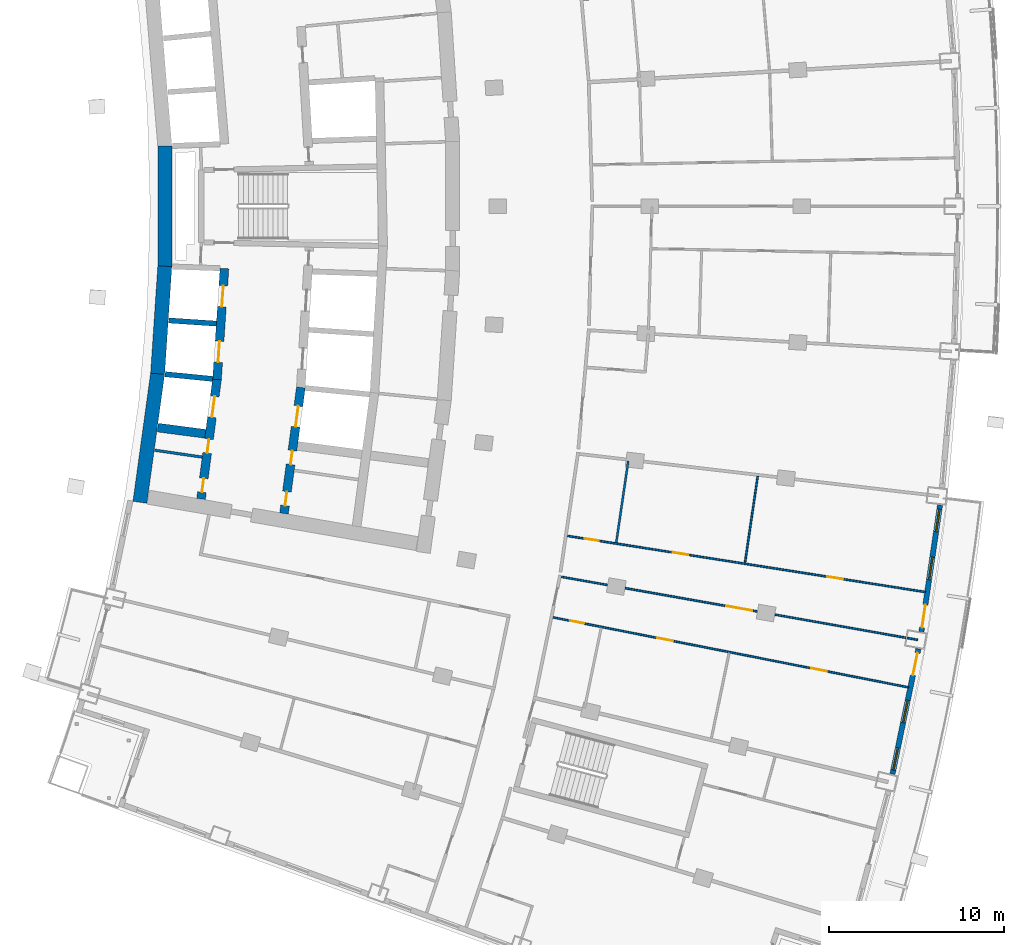
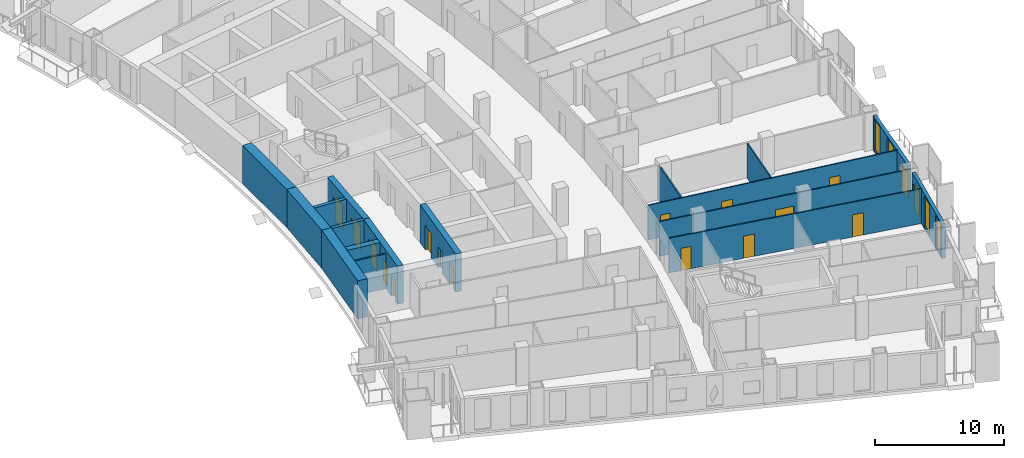
# One storey, part 15 of 25: 17 doors, 17 walls, 4 windows, 21 openings.
"""IFC4 building model written with IfcOpenShell, lengths in metres."""

import ifcopenshell
import ifcopenshell.guid

model = None  # the IFC model being written
_history = None  # IfcOwnerHistory: only IFC2X3 demands one
_inside = {}  # id of a spatial element -> (the spatial element, [elements in it])
_under = {}  # id of a project, library or spatial element -> (it, [spatial elements below it])
_declared = {}  # id of a project -> (the project, [libraries it declares])
_typed = {}  # id of a type object -> (the type object, [elements of that type])
_made_of = {}  # id of a material, layer set ... -> (it, [elements and type objects made of it])


def new_model(schema):
    """Start an empty IFC model of exactly this schema.

    Asked for "IFC4X3", IfcOpenShell would pick the latest addendum, in which some entities
    have other attributes; the version numbers below select the first issue.
    IFC2X3 requires an IfcOwnerHistory on every rooted entity: one is made here for all.
    """
    global model, _history
    if schema == "IFC4X3":
        model = ifcopenshell.file(schema_version=(4, 3, 0, 0))
    else:
        model = ifcopenshell.file(schema=schema)
    _inside.clear()
    _under.clear()
    _declared.clear()
    _typed.clear()
    _made_of.clear()
    _history = None
    if model.schema == "IFC2X3":
        org = make("IfcOrganization", Name="unknown")
        user = make(
            "IfcPersonAndOrganization",
            ThePerson=make("IfcPerson", FamilyName="unknown"),
            TheOrganization=org,
        )
        app = make(
            "IfcApplication",
            ApplicationDeveloper=org,
            Version="unknown",
            ApplicationFullName="unknown",
            ApplicationIdentifier="unknown",
        )
        _history = make(
            "IfcOwnerHistory",
            OwningUser=user,
            OwningApplication=app,
            ChangeAction="ADDED",
            CreationDate=0,
        )
    return model


def make(cls, **values):
    """One entity of the class cls with the attributes given. An attribute that is None is left unset."""
    return model.create_entity(
        cls, **{name: value for name, value in values.items() if value is not None}
    )


def rooted(cls, **values):
    """An entity with a GlobalId (a new one), such as an element, a storey or a relation."""
    return make(cls, GlobalId=ifcopenshell.guid.new(), OwnerHistory=_history, **values)


def si_unit(unit_type, name, prefix=None):
    """IfcSIUnit, for example si_unit("LENGTHUNIT", "METRE", prefix="MILLI")."""
    return make("IfcSIUnit", UnitType=unit_type, Prefix=prefix, Name=name)


def assignment(units):
    """IfcUnitAssignment: the units of a project."""
    return None if units is None else make("IfcUnitAssignment", Units=units)


def point(xyz):
    """IfcCartesianPoint."""
    return None if xyz is None else make("IfcCartesianPoint", Coordinates=xyz)


def direction(xyz):
    """IfcDirection."""
    return None if xyz is None else make("IfcDirection", DirectionRatios=xyz)


def frame(location, z_axis=None, x_axis=None):
    """IfcAxis2Placement3D, a coordinate frame: its origin and axes. An axis left out is left unset."""
    return make(
        "IfcAxis2Placement3D",
        Location=point(location),
        Axis=direction(z_axis),
        RefDirection=direction(x_axis),
    )


def frame_2d(location, x_axis=None):
    """IfcAxis2Placement2D, a coordinate frame in the plane: its origin and x axis."""
    return make(
        "IfcAxis2Placement2D", Location=point(location), RefDirection=direction(x_axis)
    )


def origin():
    """The frame at (0, 0, 0) with its axes left unset."""
    return frame((0.0, 0.0, 0.0))


def place(relative_to, where):
    """IfcLocalPlacement: puts the frame where relative to a parent placement (None: the world)."""
    return make(
        "IfcLocalPlacement", PlacementRelTo=relative_to, RelativePlacement=where
    )


def context(
    kind, dimensions, precision=None, world=None, true_north=None, identifier=None
):
    """IfcGeometricRepresentationContext, for example the 3D "Model" context."""
    return make(
        "IfcGeometricRepresentationContext",
        ContextIdentifier=identifier,
        ContextType=kind,
        CoordinateSpaceDimension=dimensions,
        Precision=precision,
        WorldCoordinateSystem=world,
        TrueNorth=true_north,
    )


def subcontext(parent, identifier, kind, view, scale=None):
    """IfcGeometricRepresentationSubContext, for example "Body" below "Model"."""
    return make(
        "IfcGeometricRepresentationSubContext",
        ContextIdentifier=identifier,
        ContextType=kind,
        ParentContext=parent,
        TargetScale=scale,
        TargetView=view,
    )


def project(units=None, contexts=None):
    """IfcProject with its units and contexts."""
    return rooted(
        "IfcProject",
        Name="project",
        RepresentationContexts=contexts,
        UnitsInContext=assignment(units),
    )


def spatial(cls, under=None, at=None, **own):
    """A site, building, storey or space (cls), placed at a placement, below another one or the project."""
    s = rooted(cls, ObjectPlacement=at, **own)
    if under is not None:
        _under.setdefault(under.id(), (under, []))[1].append(s)
    return s


def profile(cls, at=None, kind="AREA", **sizes):
    """A parametric profile (cls). Its sizes go by their IFC names, for example OverallWidth=200.0."""
    return make(cls, ProfileType=kind, Position=at, **sizes)


def rectangle(**sizes):
    """IfcRectangleProfileDef."""
    return profile("IfcRectangleProfileDef", **sizes)


def extrude(swept, where, along, depth):
    """IfcExtrudedAreaSolid: the profile swept, set in the frame where, extruded along a direction by depth."""
    return make(
        "IfcExtrudedAreaSolid",
        SweptArea=swept,
        Position=where,
        ExtrudedDirection=direction(along),
        Depth=depth,
    )


def shape(context_of_items, identifier, shape_type, items):
    """IfcShapeRepresentation: the items that make up one representation, for example the "Body"."""
    return make(
        "IfcShapeRepresentation",
        ContextOfItems=context_of_items,
        RepresentationIdentifier=identifier,
        RepresentationType=shape_type,
        Items=items,
    )


def material(Name=None, Category=None):
    """IfcMaterial."""
    return make("IfcMaterial", Name=Name, Category=Category)


def layer(
    of_material, thickness, ventilated=None, Name=None, Category=None, Priority=None
):
    """IfcMaterialLayer: one layer of a wall or slab, of a material (None: an air gap)."""
    return make(
        "IfcMaterialLayer",
        Material=of_material,
        LayerThickness=thickness,
        IsVentilated=ventilated,
        Name=Name,
        Category=Category,
        Priority=Priority,
    )


def layer_set(layers, Name=None):
    """IfcMaterialLayerSet."""
    return make("IfcMaterialLayerSet", MaterialLayers=layers, LayerSetName=Name)


def made_of(thing, what):
    """Note that an element or type object is made of a material, layer set ...; save() writes the relation."""
    if what is not None:
        _made_of.setdefault(what.id(), (what, []))[1].append(thing)
    return thing


def type_object(cls, material=None, **own):
    """A type object (cls), such as IfcWallType, which elements share."""
    return made_of(rooted(cls, **own), material)


def element(
    cls,
    number,
    at=None,
    inside=None,
    cuts=None,
    type_object=None,
    material=None,
    context=None,
    identifier="Body",
    shape_type=None,
    held_by="IfcProductDefinitionShape",
    body=None,
    shapes=None,
    **own,
):
    """One element of the class cls, such as IfcWall. Its Tag is "e" and its number.

    at: its placement. inside: the storey or other place that contains it. cuts: it is an
    opening in that element (IfcRelVoidsElement). A single representation is given by context,
    identifier, shape_type and body (its items); several are given by shapes. held_by: the class
    of the entity that holds the representations. save() writes the other relations.
    """
    e = rooted(cls, Tag="e%d" % number, ObjectPlacement=at, **own)
    if body is not None:
        shapes = [shape(context, identifier, shape_type, body)]
    if shapes is not None:
        e.Representation = make(held_by, Representations=shapes)
    if inside is not None:
        _inside.setdefault(inside.id(), (inside, []))[1].append(e)
    if cuts is not None:
        rooted(
            "IfcRelVoidsElement", RelatingBuildingElement=cuts, RelatedOpeningElement=e
        )
    if type_object is not None:
        _typed.setdefault(type_object.id(), (type_object, []))[1].append(e)
    return made_of(e, material)


def fill(opening, filler):
    """IfcRelFillsElement: the door or window that sits in an opening."""
    return rooted(
        "IfcRelFillsElement",
        RelatingOpeningElement=opening,
        RelatedBuildingElement=filler,
    )


def aggregate(whole, parts):
    """IfcRelAggregates: a whole, such as a stair, and the parts it consists of."""
    return rooted("IfcRelAggregates", RelatingObject=whole, RelatedObjects=parts)


def save(model, path):
    """Write the relations noted so far, then the file.

    IfcRelAggregates (storeys below a building ...), IfcRelContainedInSpatialStructure (elements
    in a storey), IfcRelDefinesByType, IfcRelAssociatesMaterial and IfcRelDeclares: one each for
    every whole, place, type object, material and project.
    """
    for whole, parts in _under.values():
        aggregate(whole, parts)
    for where, things in _inside.values():
        rooted(
            "IfcRelContainedInSpatialStructure",
            RelatedElements=things,
            RelatingStructure=where,
        )
    for kind, things in _typed.values():
        rooted("IfcRelDefinesByType", RelatedObjects=things, RelatingType=kind)
    for what, things in _made_of.values():
        rooted("IfcRelAssociatesMaterial", RelatedObjects=things, RelatingMaterial=what)
    for by, libraries in _declared.values():
        rooted("IfcRelDeclares", RelatingContext=by, RelatedDefinitions=libraries)
    model.write(path)


model = new_model("IFC4")

# Units and contexts
model_context = context("Model", 3, precision=1e-05, world=origin(), true_north=direction((0.0, 1.0)))
body_context = subcontext(model_context, "Body", "Model", "MODEL_VIEW")
ifc_project = project(units=[si_unit("LENGTHUNIT", "METRE"), si_unit("AREAUNIT", "SQUARE_METRE"), si_unit("VOLUMEUNIT", "CUBIC_METRE"), si_unit("PLANEANGLEUNIT", "RADIAN"), si_unit("MASSUNIT", "GRAM", prefix="KILO")], contexts=[model_context])

# Site, building, storey
site_placement = place(None, origin())
site = spatial("IfcSite", under=ifc_project, at=site_placement, CompositionType="ELEMENT")
building_placement = place(site_placement, origin())
building = spatial("IfcBuilding", under=site, at=building_placement, Name="Alderwake Tower", CompositionType="ELEMENT")
storey_placement = place(building_placement, frame((0.0, 0.0, 89.60009765625)))
storey = spatial("IfcBuildingStorey", under=building, at=storey_placement, Name="L21", CompositionType="ELEMENT", Elevation=89.60009765625)

# Walls
ifc_material_1 = material(Name="Gypsum shaft wall system, rated")
ifc_layer_1 = layer(ifc_material_1, 0.14990234375)
ifc_layer_set_1 = layer_set([ifc_layer_1], Name="Core room partition 150")
wall_type_1 = type_object("IfcWallType", Name="Core room partition 150", PredefinedType="PARTITIONING", material=ifc_layer_set_1)
wall_1_placement = place(storey_placement, frame((16.262451171875, 47.096435546875, 0.0), z_axis=(0.0, 0.0, 1.0), x_axis=(0.989725129284, -0.14298310552, 0.0)))
element("IfcWall", 1, at=wall_1_placement, inside=storey, type_object=wall_type_1, Name="CW/L21/PR-150_+0", PredefinedType="PARTITIONING", context=body_context, shape_type="SweptSolid", body=[
    extrude(rectangle(XDim=2.7353515625, YDim=0.14990234375, at=frame_2d((1.36767578125, 0.0))), origin(), (0.0, 0.0, 1.0), 3.27978515625),
])
ifc_material_2 = material(Name="Concrete C70/85", Category="concrete")
ifc_layer_2 = layer(ifc_material_2, 0.800048828125)
ifc_layer_set_2 = layer_set([ifc_layer_2], Name="Core wall outer 800 C70-85")
wall_type_2 = type_object("IfcWallType", Name="Core wall outer 800 C70-85", PredefinedType="SHEAR", material=ifc_layer_set_2)
wall_2_placement = place(storey_placement, frame((15.419921875, 44.12890625, 0.0), z_axis=(0.0, 0.0, 1.0), x_axis=(0.13634256868, 0.990661750531, 0.0)))
element("IfcWall", 2, at=wall_2_placement, inside=storey, type_object=wall_type_2, Name="Core wall CW.042", PredefinedType="SHEAR", context=body_context, shape_type="SweptSolid", body=[
    extrude(rectangle(XDim=7.42578125, YDim=0.800048828125, at=frame_2d((3.712890625, 0.0))), origin(), (0.0, 0.0, 1.0), 3.599853515625),
])
wall_3_placement = place(storey_placement, frame((16.429443359375, 51.45654296875, 0.0), z_axis=(0.0, 0.0, 1.0), x_axis=(0.066885651624, 0.997760647454, 0.0)))
element("IfcWall", 3, at=wall_3_placement, inside=storey, type_object=wall_type_2, Name="Core wall CW.041", PredefinedType="SHEAR", context=body_context, shape_type="SweptSolid", body=[
    extrude(rectangle(XDim=6.14306640625, YDim=0.800048828125, at=frame_2d((3.071533203125, 0.0))), origin(), (0.0, 0.0, 1.0), 3.599853515625),
])
wall_4_placement = place(storey_placement, frame((16.83935546875, 57.558349609375, 0.0), z_axis=(0.0, 0.0, 1.0), x_axis=(0.0, 1.0, 0.0)))
element("IfcWall", 4, at=wall_4_placement, inside=storey, type_object=wall_type_2, Name="Core wall CW.043", PredefinedType="SHEAR", context=body_context, shape_type="SweptSolid", body=[
    extrude(rectangle(XDim=6.886474609375, YDim=0.800048828125, at=frame_2d((3.443359375, 0.0))), origin(), (0.0, 0.0, 1.0), 3.599853515625),
])
ifc_material_3 = material(Name="Concrete C70/85", Category="concrete")
ifc_layer_3 = layer(ifc_material_3, 0.300048828125)
ifc_layer_set_3 = layer_set([ifc_layer_3], Name="Core wall shaft 300 C70-85")
wall_type_3 = type_object("IfcWallType", Name="Core wall shaft 300 C70-85", PredefinedType="SHEAR", material=ifc_layer_set_3)
wall_5_placement = place(storey_placement, frame((16.8583984375, 51.4287109375, 0.0), z_axis=(0.0, 0.0, 1.0), x_axis=(0.995157330456, -0.098294901394, 0.0)))
element("IfcWall", 5, at=wall_5_placement, inside=storey, type_object=wall_type_3, Name="Core wall CW.065", PredefinedType="SHEAR", context=body_context, shape_type="SweptSolid", body=[
    extrude(rectangle(XDim=2.7197265625, YDim=0.300048828125, at=frame_2d((1.35986328125, 0.0))), origin(), (0.0, 0.0, 1.0), 3.599853515625),
])
wall_6_placement = place(storey_placement, frame((17.06396484375, 54.492919921875, 0.0), z_axis=(0.0, 0.0, 1.0), x_axis=(0.997758851023, -0.066912444326, 0.0)))
element("IfcWall", 6, at=wall_6_placement, inside=storey, type_object=wall_type_3, Name="Core wall CW.079", PredefinedType="SHEAR", context=body_context, shape_type="SweptSolid", body=[
    extrude(rectangle(XDim=2.71826171875, YDim=0.300048828125, at=frame_2d((1.359130859375, 0.0))), origin(), (0.0, 0.0, 1.0), 3.599853515625),
])

# Wall, openings, doors
ifc_material_4 = material(Name="Concrete C70/85", Category="concrete")
ifc_layer_4 = layer(ifc_material_4, 0.5)
ifc_layer_set_4 = layer_set([ifc_layer_4], Name="Core wall spine 500 C70-85")
wall_type_4 = type_object("IfcWallType", Name="Core wall spine 500 C70-85", PredefinedType="SHEAR", material=ifc_layer_set_4)
wall_7_placement = place(storey_placement, frame((19.81494140625, 51.145263671875, 0.0), z_axis=(0.0, 0.0, 1.0), x_axis=(-0.132349652161, -0.991203091991, 0.0)))
wall_7 = element("IfcWall", 7, at=wall_7_placement, inside=storey, type_object=wall_type_4, Name="Core wall CW.033", PredefinedType="SHEAR", context=body_context, shape_type="SweptSolid", body=[
    extrude(rectangle(XDim=6.880615234375, YDim=0.5, at=frame_2d((3.4404296875, 0.0))), origin(), (0.0, 0.0, 1.0), 3.599853515625),
])
opening_1_placement = place(wall_7_placement, frame((0.99072265625, 0.0, 0.0)))
opening_1 = element("IfcOpeningElement", 8, at=opening_1_placement, cuts=wall_7, Name="Opening LD-LP1", PredefinedType="OPENING", context=body_context, shape_type="SweptSolid", body=[
    extrude(rectangle(XDim=1.199951171875, YDim=2.300048828125, at=frame_2d((0.60009765625, 1.14990234375))), frame((0.0, 0.260009765625, 0.0), z_axis=(0.0, -1.0, 0.0), x_axis=(1.0, 0.0, 0.0)), (0.0, 0.0, 1.0), 0.52001953125),
])
opening_2_placement = place(wall_7_placement, frame((5.698486328125, 0.0, 0.0)))
opening_2 = element("IfcOpeningElement", 9, at=opening_2_placement, cuts=wall_7, Name="Opening C008", PredefinedType="OPENING", context=body_context, shape_type="SweptSolid", body=[
    extrude(rectangle(XDim=0.800048828125, YDim=2.0, at=frame_2d((0.39990234375, 1.0))), frame((0.0, 0.260009765625, 0.0), z_axis=(0.0, -1.0, 0.0), x_axis=(1.0, 0.0, 0.0)), (0.0, 0.0, 1.0), 0.52001953125),
])
opening_3_placement = place(wall_7_placement, frame((3.444580078125, 0.0, 0.0)))
opening_3 = element("IfcOpeningElement", 10, at=opening_3_placement, cuts=wall_7, Name="Opening C012", PredefinedType="OPENING", context=body_context, shape_type="SweptSolid", body=[
    extrude(rectangle(XDim=0.800048828125, YDim=2.0, at=frame_2d((0.39990234375, 1.0))), frame((0.0, 0.260009765625, 0.0), z_axis=(0.0, -1.0, 0.0), x_axis=(1.0, 0.0, 0.0)), (0.0, 0.0, 1.0), 0.52001953125),
])
ifc_material_5 = material(Name="Stainless steel sliding leaf", Category="steel")
door_type_1 = type_object("IfcDoorType", Name="Lift landing door 1200", OperationType="SLIDING_TO_LEFT", PredefinedType="DOOR", material=ifc_material_5)
door_1_placement = place(opening_1_placement, origin())
door_1 = element("IfcDoor", 11, at=door_1_placement, inside=storey, type_object=door_type_1, Name="Lift landing door LP1", OperationType="SLIDING_TO_LEFT", OverallHeight=2.300048828125, OverallWidth=1.199951171875, PredefinedType="DOOR", context=body_context, shape_type="SweptSolid", body=[
    extrude(rectangle(XDim=1.199951171875, YDim=2.300048828125, at=frame_2d((0.60009765625, 1.14990234375))), frame((0.0, 0.02490234375, 0.0), z_axis=(0.0, -1.0, 0.0), x_axis=(1.0, 0.0, 0.0)), (0.0, 0.0, 1.0), 0.050048828125),
])
fill(opening_1, door_1)
ifc_material_6 = material(Name="Painted steel leaf, rated", Category="steel")
door_type_2 = type_object("IfcDoorType", Name="Riser access door 800", OperationType="SINGLE_SWING_LEFT", PredefinedType="DOOR", material=ifc_material_6)
door_2_placement = place(opening_2_placement, origin())
door_2 = element("IfcDoor", 12, at=door_2_placement, inside=storey, type_object=door_type_2, Name="Riser access door", OperationType="SINGLE_SWING_LEFT", OverallHeight=2.0, OverallWidth=0.800048828125, PredefinedType="DOOR", context=body_context, shape_type="SweptSolid", body=[
    extrude(rectangle(XDim=0.800048828125, YDim=2.0, at=frame_2d((0.39990234375, 1.0))), frame((0.0, 0.02490234375, 0.0), z_axis=(0.0, -1.0, 0.0), x_axis=(1.0, 0.0, 0.0)), (0.0, 0.0, 1.0), 0.050048828125),
])
fill(opening_2, door_2)
door_3_placement = place(opening_3_placement, origin())
door_3 = element("IfcDoor", 13, at=door_3_placement, inside=storey, type_object=door_type_2, Name="Riser access door", OperationType="SINGLE_SWING_RIGHT", OverallHeight=2.0, OverallWidth=0.800048828125, PredefinedType="DOOR", context=body_context, shape_type="SweptSolid", body=[
    extrude(rectangle(XDim=0.800048828125, YDim=2.0, at=frame_2d((0.39990234375, 1.0))), frame((0.0, 0.02490234375, 0.0), z_axis=(0.0, -1.0, 0.0), x_axis=(1.0, 0.0, 0.0)), (0.0, 0.0, 1.0), 0.050048828125),
])
fill(opening_3, door_3)

wall_8_placement = place(storey_placement, frame((19.813232421875, 51.1279296875, 0.0), z_axis=(0.0, 0.0, 1.0), x_axis=(0.066907604831, 0.997759175561, 0.0)))
wall_8 = element("IfcWall", 14, at=wall_8_placement, inside=storey, type_object=wall_type_4, Name="Core wall CW.032", PredefinedType="SHEAR", context=body_context, shape_type="SweptSolid", body=[
    extrude(rectangle(XDim=6.338134765625, YDim=0.5, at=frame_2d((3.1689453125, 0.0))), origin(), (0.0, 0.0, 1.0), 3.599853515625),
])
opening_4_placement = place(wall_8_placement, frame((0.990966796875, 0.0, 0.0)))
opening_4 = element("IfcOpeningElement", 15, at=opening_4_placement, cuts=wall_8, Name="Opening LD-LP2", PredefinedType="OPENING", context=body_context, shape_type="SweptSolid", body=[
    extrude(rectangle(XDim=1.199951171875, YDim=2.300048828125, at=frame_2d((0.60009765625, 1.14990234375))), frame((0.0, 0.260009765625, 0.0), z_axis=(0.0, -1.0, 0.0), x_axis=(1.0, 0.0, 0.0)), (0.0, 0.0, 1.0), 0.52001953125),
])
opening_5_placement = place(wall_8_placement, frame((4.156005859375, 0.0, 0.0)))
opening_5 = element("IfcOpeningElement", 16, at=opening_5_placement, cuts=wall_8, Name="Opening LD-LP3", PredefinedType="OPENING", context=body_context, shape_type="SweptSolid", body=[
    extrude(rectangle(XDim=1.199951171875, YDim=2.300048828125, at=frame_2d((0.60009765625, 1.14990234375))), frame((0.0, 0.260009765625, 0.0), z_axis=(0.0, -1.0, 0.0), x_axis=(1.0, 0.0, 0.0)), (0.0, 0.0, 1.0), 0.52001953125),
])
door_4_placement = place(opening_4_placement, origin())
door_4 = element("IfcDoor", 17, at=door_4_placement, inside=storey, type_object=door_type_1, Name="Lift landing door LP2", OperationType="SLIDING_TO_LEFT", OverallHeight=2.300048828125, OverallWidth=1.199951171875, PredefinedType="DOOR", context=body_context, shape_type="SweptSolid", body=[
    extrude(rectangle(XDim=1.199951171875, YDim=2.300048828125, at=frame_2d((0.60009765625, 1.14990234375))), frame((0.0, 0.02490234375, 0.0), z_axis=(0.0, -1.0, 0.0), x_axis=(1.0, 0.0, 0.0)), (0.0, 0.0, 1.0), 0.050048828125),
])
fill(opening_4, door_4)
door_5_placement = place(opening_5_placement, origin())
door_5 = element("IfcDoor", 18, at=door_5_placement, inside=storey, type_object=door_type_1, Name="Lift landing door LP3", OperationType="SLIDING_TO_LEFT", OverallHeight=2.300048828125, OverallWidth=1.199951171875, PredefinedType="DOOR", context=body_context, shape_type="SweptSolid", body=[
    extrude(rectangle(XDim=1.199951171875, YDim=2.300048828125, at=frame_2d((0.60009765625, 1.14990234375))), frame((0.0, 0.02490234375, 0.0), z_axis=(0.0, -1.0, 0.0), x_axis=(1.0, 0.0, 0.0)), (0.0, 0.0, 1.0), 0.050048828125),
])
fill(opening_5, door_5)

wall_9_placement = place(storey_placement, frame((23.631103515625, 43.489501953125, 0.0), z_axis=(0.0, 0.0, 1.0), x_axis=(0.132532135635, 0.991178708924, 0.0)))
wall_9 = element("IfcWall", 19, at=wall_9_placement, inside=storey, type_object=wall_type_4, Name="Core wall CW.047", PredefinedType="SHEAR", context=body_context, shape_type="SweptSolid", body=[
    extrude(rectangle(XDim=7.248779296875, YDim=0.5, at=frame_2d((3.62451171875, 0.0))), origin(), (0.0, 0.0, 1.0), 3.599853515625),
])
opening_6_placement = place(wall_9_placement, frame((4.981201171875, 0.0, 0.0)))
opening_6 = element("IfcOpeningElement", 20, at=opening_6_placement, cuts=wall_9, Name="Opening LD-LP4", PredefinedType="OPENING", context=body_context, shape_type="SweptSolid", body=[
    extrude(rectangle(XDim=1.199951171875, YDim=2.300048828125, at=frame_2d((0.60009765625, 1.14990234375))), frame((0.0, 0.260009765625, 0.0), z_axis=(0.0, -1.0, 0.0), x_axis=(1.0, 0.0, 0.0)), (0.0, 0.0, 1.0), 0.52001953125),
])
opening_7_placement = place(wall_9_placement, frame((0.4580078125, 0.0, 0.0)))
opening_7 = element("IfcOpeningElement", 21, at=opening_7_placement, cuts=wall_9, Name="Opening C015", PredefinedType="OPENING", context=body_context, shape_type="SweptSolid", body=[
    extrude(rectangle(XDim=0.800048828125, YDim=2.0, at=frame_2d((0.39990234375, 1.0))), frame((0.0, 0.260009765625, 0.0), z_axis=(0.0, -1.0, 0.0), x_axis=(1.0, 0.0, 0.0)), (0.0, 0.0, 1.0), 0.52001953125),
])
opening_8_placement = place(wall_9_placement, frame((2.819580078125, 0.0, 0.0)))
opening_8 = element("IfcOpeningElement", 22, at=opening_8_placement, cuts=wall_9, Name="Opening C019", PredefinedType="OPENING", context=body_context, shape_type="SweptSolid", body=[
    extrude(rectangle(XDim=0.800048828125, YDim=2.0, at=frame_2d((0.39990234375, 1.0))), frame((0.0, 0.260009765625, 0.0), z_axis=(0.0, -1.0, 0.0), x_axis=(1.0, 0.0, 0.0)), (0.0, 0.0, 1.0), 0.52001953125),
])
door_6_placement = place(opening_6_placement, origin())
door_6 = element("IfcDoor", 23, at=door_6_placement, inside=storey, type_object=door_type_1, Name="Lift landing door LP4", OperationType="SLIDING_TO_LEFT", OverallHeight=2.300048828125, OverallWidth=1.199951171875, PredefinedType="DOOR", context=body_context, shape_type="SweptSolid", body=[
    extrude(rectangle(XDim=1.199951171875, YDim=2.300048828125, at=frame_2d((0.60009765625, 1.14990234375))), frame((0.0, 0.02490234375, 0.0), z_axis=(0.0, -1.0, 0.0), x_axis=(1.0, 0.0, 0.0)), (0.0, 0.0, 1.0), 0.050048828125),
])
fill(opening_6, door_6)
door_7_placement = place(opening_7_placement, origin())
door_7 = element("IfcDoor", 24, at=door_7_placement, inside=storey, type_object=door_type_2, Name="Riser access door", OperationType="SINGLE_SWING_LEFT", OverallHeight=2.0, OverallWidth=0.800048828125, PredefinedType="DOOR", context=body_context, shape_type="SweptSolid", body=[
    extrude(rectangle(XDim=0.800048828125, YDim=2.0, at=frame_2d((0.39990234375, 1.0))), frame((0.0, 0.02490234375, 0.0), z_axis=(0.0, -1.0, 0.0), x_axis=(1.0, 0.0, 0.0)), (0.0, 0.0, 1.0), 0.050048828125),
])
fill(opening_7, door_7)
door_8_placement = place(opening_8_placement, origin())
door_8 = element("IfcDoor", 25, at=door_8_placement, inside=storey, type_object=door_type_2, Name="Riser access door", OperationType="SINGLE_SWING_RIGHT", OverallHeight=2.0, OverallWidth=0.800048828125, PredefinedType="DOOR", context=body_context, shape_type="SweptSolid", body=[
    extrude(rectangle(XDim=0.800048828125, YDim=2.0, at=frame_2d((0.39990234375, 1.0))), frame((0.0, 0.02490234375, 0.0), z_axis=(0.0, -1.0, 0.0), x_axis=(1.0, 0.0, 0.0)), (0.0, 0.0, 1.0), 0.050048828125),
])
fill(opening_8, door_8)

# Wall
wall_10_placement = place(storey_placement, frame((16.43994140625, 48.38623046875, 0.0), z_axis=(0.0, 0.0, 1.0), x_axis=(0.991557472006, -0.129667959452, 0.0)))
element("IfcWall", 26, at=wall_10_placement, inside=storey, type_object=wall_type_4, Name="Core wall CW.067", PredefinedType="SHEAR", context=body_context, shape_type="SweptSolid", body=[
    extrude(rectangle(XDim=2.72998046875, YDim=0.5, at=frame_2d((1.364990234375, 0.0))), origin(), (0.0, 0.0, 1.0), 3.599853515625),
])

# Wall, openings, door, windows
ifc_material_7 = material(Name="Precast concrete C50/60 spandrel panel", Category="concrete")
ifc_layer_5 = layer(ifc_material_7, 0.300048828125)
ifc_layer_set_5 = layer_set([ifc_layer_5], Name="External wall EW1 Precast concrete C50/60 spandrel")
wall_type_5 = type_object("IfcWallType", Name="External wall EW1 Precast concrete C50/60 spandrel", PredefinedType="SOLIDWALL", material=ifc_layer_set_5)
wall_11_placement = place(storey_placement, frame((58.3017578125, 28.643310546875, 0.0), z_axis=(0.0, 0.0, 1.0), x_axis=(0.202747398162, 0.979231072086, 0.0)))
wall_11 = element("IfcWall", 27, at=wall_11_placement, inside=storey, type_object=wall_type_5, Name="External wall 13", PredefinedType="SOLIDWALL", context=body_context, shape_type="SweptSolid", body=[
    extrude(rectangle(XDim=7.28759765625, YDim=0.300048828125, at=frame_2d((3.643798828125, 0.0))), origin(), (0.0, 0.0, 1.0), 3.27978515625),
])
opening_9_placement = place(wall_11_placement, frame((0.23681640625, 0.0, 0.199951171875)))
opening_9 = element("IfcOpeningElement", 28, at=opening_9_placement, cuts=wall_11, Name="Opening W1", PredefinedType="OPENING", context=body_context, shape_type="SweptSolid", body=[
    extrude(rectangle(XDim=1.300048828125, YDim=2.89990234375, at=frame_2d((0.64990234375, 1.449951171875))), frame((0.0, 0.159912109375, 0.0), z_axis=(0.0, -1.0, 0.0), x_axis=(1.0, 0.0, 0.0)), (0.0, 0.0, 1.0), 0.320068359375),
])
opening_10_placement = place(wall_11_placement, frame((2.99365234375, 0.0, 0.199951171875)))
opening_10 = element("IfcOpeningElement", 29, at=opening_10_placement, cuts=wall_11, Name="Opening W1", PredefinedType="OPENING", context=body_context, shape_type="SweptSolid", body=[
    extrude(rectangle(XDim=1.300048828125, YDim=2.89990234375, at=frame_2d((0.64990234375, 1.449951171875))), frame((0.0, 0.159912109375, 0.0), z_axis=(0.0, -1.0, 0.0), x_axis=(1.0, 0.0, 0.0)), (0.0, 0.0, 1.0), 0.320068359375),
])
opening_11_placement = place(wall_11_placement, frame((5.75048828125, 0.0, 0.0)))
opening_11 = element("IfcOpeningElement", 30, at=opening_11_placement, cuts=wall_11, Name="Opening D04", PredefinedType="OPENING", context=body_context, shape_type="SweptSolid", body=[
    extrude(rectangle(XDim=1.300048828125, YDim=2.39990234375, at=frame_2d((0.64990234375, 1.199951171875))), frame((0.0, 0.159912109375, 0.0), z_axis=(0.0, -1.0, 0.0), x_axis=(1.0, 0.0, 0.0)), (0.0, 0.0, 1.0), 0.320068359375),
])
ifc_material_8 = material(Name="Bronze tinted glass in aluminium frame", Category="aluminium")
door_type_3 = type_object("IfcDoorType", Name="Balcony door BD sliding", OperationType="SLIDING_TO_LEFT", PredefinedType="DOOR", material=ifc_material_8)
door_9_placement = place(opening_11_placement, origin())
door_9 = element("IfcDoor", 31, at=door_9_placement, inside=storey, type_object=door_type_3, Name="Door D04", OperationType="SLIDING_TO_LEFT", OverallHeight=2.39990234375, OverallWidth=1.300048828125, PredefinedType="DOOR", context=body_context, shape_type="SweptSolid", body=[
    extrude(rectangle(XDim=1.300048828125, YDim=2.39990234375, at=frame_2d((0.64990234375, 1.199951171875))), frame((0.0, 0.02490234375, 0.0), z_axis=(0.0, -1.0, 0.0), x_axis=(1.0, 0.0, 0.0)), (0.0, 0.0, 1.0), 0.050048828125),
])
fill(opening_11, door_9)
ifc_material_9 = material(Name="Bronze tinted glass in aluminium frame", Category="aluminium")
window_type = type_object("IfcWindowType", Name="Window W1 tall fixed and vent", PartitioningType="DOUBLE_PANEL_VERTICAL", PredefinedType="WINDOW", material=ifc_material_9)
window_1_placement = place(opening_9_placement, origin())
window_1 = element("IfcWindow", 32, at=window_1_placement, inside=storey, type_object=window_type, Name="Window W1 tall fixed and vent", OverallHeight=2.89990234375, OverallWidth=1.300048828125, PartitioningType="DOUBLE_PANEL_VERTICAL", PredefinedType="WINDOW", context=body_context, shape_type="SweptSolid", body=[
    extrude(rectangle(XDim=1.300048828125, YDim=2.89990234375, at=frame_2d((0.64990234375, 1.449951171875))), frame((0.0, 0.030029296875, 0.0), z_axis=(0.0, -1.0, 0.0), x_axis=(1.0, 0.0, 0.0)), (0.0, 0.0, 1.0), 0.06005859375),
])
fill(opening_9, window_1)
window_2_placement = place(opening_10_placement, origin())
window_2 = element("IfcWindow", 33, at=window_2_placement, inside=storey, type_object=window_type, Name="Window W1 tall fixed and vent", OverallHeight=2.89990234375, OverallWidth=1.300048828125, PartitioningType="DOUBLE_PANEL_VERTICAL", PredefinedType="WINDOW", context=body_context, shape_type="SweptSolid", body=[
    extrude(rectangle(XDim=1.300048828125, YDim=2.89990234375, at=frame_2d((0.64990234375, 1.449951171875))), frame((0.0, 0.030029296875, 0.0), z_axis=(0.0, -1.0, 0.0), x_axis=(1.0, 0.0, 0.0)), (0.0, 0.0, 1.0), 0.06005859375),
])
fill(opening_10, window_2)

wall_12_placement = place(storey_placement, frame((59.952880859375, 36.761474609375, 0.0), z_axis=(0.0, 0.0, 1.0), x_axis=(0.145299158465, 0.989387767536, 0.0)))
wall_12 = element("IfcWall", 34, at=wall_12_placement, inside=storey, type_object=wall_type_5, Name="External wall 14", PredefinedType="SOLIDWALL", context=body_context, shape_type="SweptSolid", body=[
    extrude(rectangle(XDim=7.287353515625, YDim=0.300048828125, at=frame_2d((3.6435546875, 0.0))), origin(), (0.0, 0.0, 1.0), 3.27978515625),
])
opening_12_placement = place(wall_12_placement, frame((0.23681640625, 0.0, 0.0)))
opening_12 = element("IfcOpeningElement", 35, at=opening_12_placement, cuts=wall_12, Name="Opening D05", PredefinedType="OPENING", context=body_context, shape_type="SweptSolid", body=[
    extrude(rectangle(XDim=1.300048828125, YDim=2.39990234375, at=frame_2d((0.64990234375, 1.199951171875))), frame((0.0, 0.159912109375, 0.0), z_axis=(0.0, -1.0, 0.0), x_axis=(1.0, 0.0, 0.0)), (0.0, 0.0, 1.0), 0.320068359375),
])
opening_13_placement = place(wall_12_placement, frame((2.99365234375, 0.0, 0.199951171875)))
opening_13 = element("IfcOpeningElement", 36, at=opening_13_placement, cuts=wall_12, Name="Opening W1", PredefinedType="OPENING", context=body_context, shape_type="SweptSolid", body=[
    extrude(rectangle(XDim=1.300048828125, YDim=2.89990234375, at=frame_2d((0.64990234375, 1.449951171875))), frame((0.0, 0.159912109375, 0.0), z_axis=(0.0, -1.0, 0.0), x_axis=(1.0, 0.0, 0.0)), (0.0, 0.0, 1.0), 0.320068359375),
])
opening_14_placement = place(wall_12_placement, frame((5.75048828125, 0.0, 0.199951171875)))
opening_14 = element("IfcOpeningElement", 37, at=opening_14_placement, cuts=wall_12, Name="Opening W1", PredefinedType="OPENING", context=body_context, shape_type="SweptSolid", body=[
    extrude(rectangle(XDim=1.300048828125, YDim=2.89990234375, at=frame_2d((0.64990234375, 1.449951171875))), frame((0.0, 0.159912109375, 0.0), z_axis=(0.0, -1.0, 0.0), x_axis=(1.0, 0.0, 0.0)), (0.0, 0.0, 1.0), 0.320068359375),
])
door_10_placement = place(opening_12_placement, origin())
door_10 = element("IfcDoor", 38, at=door_10_placement, inside=storey, type_object=door_type_3, Name="Door D05", OperationType="SLIDING_TO_LEFT", OverallHeight=2.39990234375, OverallWidth=1.300048828125, PredefinedType="DOOR", context=body_context, shape_type="SweptSolid", body=[
    extrude(rectangle(XDim=1.300048828125, YDim=2.39990234375, at=frame_2d((0.64990234375, 1.199951171875))), frame((0.0, 0.02490234375, 0.0), z_axis=(0.0, -1.0, 0.0), x_axis=(1.0, 0.0, 0.0)), (0.0, 0.0, 1.0), 0.050048828125),
])
fill(opening_12, door_10)
window_3_placement = place(opening_13_placement, origin())
window_3 = element("IfcWindow", 39, at=window_3_placement, inside=storey, type_object=window_type, Name="Window W1 tall fixed and vent", OverallHeight=2.89990234375, OverallWidth=1.300048828125, PartitioningType="DOUBLE_PANEL_VERTICAL", PredefinedType="WINDOW", context=body_context, shape_type="SweptSolid", body=[
    extrude(rectangle(XDim=1.300048828125, YDim=2.89990234375, at=frame_2d((0.64990234375, 1.449951171875))), frame((0.0, 0.030029296875, 0.0), z_axis=(0.0, -1.0, 0.0), x_axis=(1.0, 0.0, 0.0)), (0.0, 0.0, 1.0), 0.06005859375),
])
fill(opening_13, window_3)
window_4_placement = place(opening_14_placement, origin())
window_4 = element("IfcWindow", 40, at=window_4_placement, inside=storey, type_object=window_type, Name="Window W1 tall fixed and vent", OverallHeight=2.89990234375, OverallWidth=1.300048828125, PartitioningType="DOUBLE_PANEL_VERTICAL", PredefinedType="WINDOW", context=body_context, shape_type="SweptSolid", body=[
    extrude(rectangle(XDim=1.300048828125, YDim=2.89990234375, at=frame_2d((0.64990234375, 1.449951171875))), frame((0.0, 0.030029296875, 0.0), z_axis=(0.0, -1.0, 0.0), x_axis=(1.0, 0.0, 0.0)), (0.0, 0.0, 1.0), 0.06005859375),
])
fill(opening_14, window_4)

# Wall, openings, doors
ifc_material_10 = material(Name="Gypsum board on metal studs")
ifc_layer_6 = layer(ifc_material_10, 0.10009765625)
ifc_layer_set_6 = layer_set([ifc_layer_6], Name="Unit partition 100")
wall_type_6 = type_object("IfcWallType", Name="Unit partition 100", PredefinedType="PARTITIONING", material=ifc_layer_set_6)
wall_13_placement = place(storey_placement, frame((59.222900390625, 33.58203125, 0.0), z_axis=(0.0, 0.0, 1.0), x_axis=(-0.981155808083, 0.193218219287, 0.0)))
wall_13 = element("IfcWall", 41, at=wall_13_placement, inside=storey, type_object=wall_type_6, Name="WL/L21/W67", PredefinedType="PARTITIONING", context=body_context, shape_type="SweptSolid", body=[
    extrude(rectangle(XDim=20.662841796875, YDim=0.10009765625, at=frame_2d((10.33154296875, 0.0))), origin(), (0.0, 0.0, 1.0), 3.27978515625),
])
opening_15_placement = place(wall_13_placement, frame((13.681396484375, 0.0, 0.0)))
opening_15 = element("IfcOpeningElement", 42, at=opening_15_placement, cuts=wall_13, Name="Opening R05-U05.1", PredefinedType="OPENING", context=body_context, shape_type="SweptSolid", body=[
    extrude(rectangle(XDim=0.89990234375, YDim=2.10009765625, at=frame_2d((0.449951171875, 1.050048828125))), frame((0.0, 0.06005859375, 0.0), z_axis=(0.0, -1.0, 0.0), x_axis=(1.0, 0.0, 0.0)), (0.0, 0.0, 1.0), 0.1201171875),
])
opening_16_placement = place(wall_13_placement, frame((18.853515625, 0.0, 0.0)))
opening_16 = element("IfcOpeningElement", 43, at=opening_16_placement, cuts=wall_13, Name="Opening R05-U05.3", PredefinedType="OPENING", context=body_context, shape_type="SweptSolid", body=[
    extrude(rectangle(XDim=0.800048828125, YDim=2.10009765625, at=frame_2d((0.39990234375, 1.050048828125))), frame((0.0, 0.06005859375, 0.0), z_axis=(0.0, -1.0, 0.0), x_axis=(1.0, 0.0, 0.0)), (0.0, 0.0, 1.0), 0.1201171875),
])
opening_17_placement = place(wall_13_placement, frame((4.759765625, 0.0, 0.0)))
opening_17 = element("IfcOpeningElement", 44, at=opening_17_placement, cuts=wall_13, Name="Opening R05-U05.4", PredefinedType="OPENING", context=body_context, shape_type="SweptSolid", body=[
    extrude(rectangle(XDim=0.89990234375, YDim=2.10009765625, at=frame_2d((0.449951171875, 1.050048828125))), frame((0.0, 0.06005859375, 0.0), z_axis=(0.0, -1.0, 0.0), x_axis=(1.0, 0.0, 0.0)), (0.0, 0.0, 1.0), 0.1201171875),
])
ifc_material_11 = material(Name="Painted timber leaf", Category="wood")
door_type_4 = type_object("IfcDoorType", Name="Bathroom door 800", OperationType="SINGLE_SWING_LEFT", PredefinedType="DOOR", material=ifc_material_11)
door_11_placement = place(opening_16_placement, origin())
door_11 = element("IfcDoor", 45, at=door_11_placement, inside=storey, type_object=door_type_4, Name="DR/L21/U05.3", OperationType="SINGLE_SWING_LEFT", OverallHeight=2.10009765625, OverallWidth=0.800048828125, PredefinedType="DOOR", context=body_context, shape_type="SweptSolid", body=[
    extrude(rectangle(XDim=0.800048828125, YDim=2.10009765625, at=frame_2d((0.39990234375, 1.050048828125))), frame((0.0, 0.02490234375, 0.0), z_axis=(0.0, -1.0, 0.0), x_axis=(1.0, 0.0, 0.0)), (0.0, 0.0, 1.0), 0.050048828125),
])
fill(opening_16, door_11)
ifc_material_12 = material(Name="Painted timber leaf", Category="wood")
door_type_5 = type_object("IfcDoorType", Name="Room door 900", OperationType="SINGLE_SWING_LEFT", PredefinedType="DOOR", material=ifc_material_12)
door_12_placement = place(opening_15_placement, origin())
door_12 = element("IfcDoor", 46, at=door_12_placement, inside=storey, type_object=door_type_5, Name="DR/L21/U05.1", OperationType="SINGLE_SWING_LEFT", OverallHeight=2.10009765625, OverallWidth=0.89990234375, PredefinedType="DOOR", context=body_context, shape_type="SweptSolid", body=[
    extrude(rectangle(XDim=0.89990234375, YDim=2.10009765625, at=frame_2d((0.449951171875, 1.050048828125))), frame((0.0, 0.02490234375, 0.0), z_axis=(0.0, -1.0, 0.0), x_axis=(1.0, 0.0, 0.0)), (0.0, 0.0, 1.0), 0.050048828125),
])
fill(opening_15, door_12)
door_13_placement = place(opening_17_placement, origin())
door_13 = element("IfcDoor", 47, at=door_13_placement, inside=storey, type_object=door_type_5, Name="DR/L21/U05.4", OperationType="SINGLE_SWING_LEFT", OverallHeight=2.10009765625, OverallWidth=0.89990234375, PredefinedType="DOOR", context=body_context, shape_type="SweptSolid", body=[
    extrude(rectangle(XDim=0.89990234375, YDim=2.10009765625, at=frame_2d((0.449951171875, 1.050048828125))), frame((0.0, 0.02490234375, 0.0), z_axis=(0.0, -1.0, 0.0), x_axis=(1.0, 0.0, 0.0)), (0.0, 0.0, 1.0), 0.050048828125),
])
fill(opening_17, door_13)

wall_14_placement = place(storey_placement, frame((39.76904296875, 42.215576171875, 0.0), z_axis=(0.0, 0.0, 1.0), x_axis=(0.987930802419, -0.154895867056, 0.0)))
wall_14 = element("IfcWall", 48, at=wall_14_placement, inside=storey, type_object=wall_type_6, Name="WL/L21/W68", PredefinedType="PARTITIONING", context=body_context, shape_type="SweptSolid", body=[
    extrude(rectangle(XDim=20.66357421875, YDim=0.10009765625, at=frame_2d((10.331787109375, 0.0))), origin(), (0.0, 0.0, 1.0), 3.27978515625),
])
opening_18_placement = place(wall_14_placement, frame((6.08251953125, 0.0, 0.0)))
opening_18 = element("IfcOpeningElement", 49, at=opening_18_placement, cuts=wall_14, Name="Opening R05-U05.5", PredefinedType="OPENING", context=body_context, shape_type="SweptSolid", body=[
    extrude(rectangle(XDim=0.89990234375, YDim=2.10009765625, at=frame_2d((0.449951171875, 1.050048828125))), frame((0.0, 0.06005859375, 0.0), z_axis=(0.0, -1.0, 0.0), x_axis=(1.0, 0.0, 0.0)), (0.0, 0.0, 1.0), 0.1201171875),
])
opening_19_placement = place(wall_14_placement, frame((1.010009765625, 0.0, 0.0)))
opening_19 = element("IfcOpeningElement", 50, at=opening_19_placement, cuts=wall_14, Name="Opening R05-U05.6", PredefinedType="OPENING", context=body_context, shape_type="SweptSolid", body=[
    extrude(rectangle(XDim=0.800048828125, YDim=2.10009765625, at=frame_2d((0.39990234375, 1.050048828125))), frame((0.0, 0.06005859375, 0.0), z_axis=(0.0, -1.0, 0.0), x_axis=(1.0, 0.0, 0.0)), (0.0, 0.0, 1.0), 0.1201171875),
])
opening_20_placement = place(wall_14_placement, frame((15.004150390625, 0.0, 0.0)))
opening_20 = element("IfcOpeningElement", 51, at=opening_20_placement, cuts=wall_14, Name="Opening R05-U05.7", PredefinedType="OPENING", context=body_context, shape_type="SweptSolid", body=[
    extrude(rectangle(XDim=0.89990234375, YDim=2.10009765625, at=frame_2d((0.449951171875, 1.050048828125))), frame((0.0, 0.06005859375, 0.0), z_axis=(0.0, -1.0, 0.0), x_axis=(1.0, 0.0, 0.0)), (0.0, 0.0, 1.0), 0.1201171875),
])
door_14_placement = place(opening_19_placement, origin())
door_14 = element("IfcDoor", 52, at=door_14_placement, inside=storey, type_object=door_type_4, Name="DR/L21/U05.6", OperationType="SINGLE_SWING_LEFT", OverallHeight=2.10009765625, OverallWidth=0.800048828125, PredefinedType="DOOR", context=body_context, shape_type="SweptSolid", body=[
    extrude(rectangle(XDim=0.800048828125, YDim=2.10009765625, at=frame_2d((0.39990234375, 1.050048828125))), frame((0.0, 0.02490234375, 0.0), z_axis=(0.0, -1.0, 0.0), x_axis=(1.0, 0.0, 0.0)), (0.0, 0.0, 1.0), 0.050048828125),
])
fill(opening_19, door_14)
door_15_placement = place(opening_18_placement, origin())
door_15 = element("IfcDoor", 53, at=door_15_placement, inside=storey, type_object=door_type_5, Name="DR/L21/U05.5", OperationType="SINGLE_SWING_LEFT", OverallHeight=2.10009765625, OverallWidth=0.89990234375, PredefinedType="DOOR", context=body_context, shape_type="SweptSolid", body=[
    extrude(rectangle(XDim=0.89990234375, YDim=2.10009765625, at=frame_2d((0.449951171875, 1.050048828125))), frame((0.0, 0.02490234375, 0.0), z_axis=(0.0, -1.0, 0.0), x_axis=(1.0, 0.0, 0.0)), (0.0, 0.0, 1.0), 0.050048828125),
])
fill(opening_18, door_15)
door_16_placement = place(opening_20_placement, origin())
door_16 = element("IfcDoor", 54, at=door_16_placement, inside=storey, type_object=door_type_5, Name="DR/L21/U05.7", OperationType="SINGLE_SWING_LEFT", OverallHeight=2.10009765625, OverallWidth=0.89990234375, PredefinedType="DOOR", context=body_context, shape_type="SweptSolid", body=[
    extrude(rectangle(XDim=0.89990234375, YDim=2.10009765625, at=frame_2d((0.449951171875, 1.050048828125))), frame((0.0, 0.02490234375, 0.0), z_axis=(0.0, -1.0, 0.0), x_axis=(1.0, 0.0, 0.0)), (0.0, 0.0, 1.0), 0.050048828125),
])
fill(opening_20, door_16)

# Wall
wall_15_placement = place(storey_placement, frame((49.897216796875, 40.678466796875, 0.0), z_axis=(0.0, 0.0, 1.0), x_axis=(0.145444645859, 0.989366390672, 0.0)))
element("IfcWall", 55, at=wall_15_placement, inside=storey, type_object=wall_type_6, Name="WL/L21/W78", PredefinedType="PARTITIONING", context=body_context, shape_type="SweptSolid", body=[
    extrude(rectangle(XDim=4.9853515625, YDim=0.10009765625, at=frame_2d((2.49267578125, 0.0))), origin(), (0.0, 0.0, 1.0), 3.27978515625),
])

# Wall, opening, door
wall_16_placement = place(storey_placement, frame((39.4267578125, 39.883056640625, 0.0), z_axis=(0.0, 0.0, 1.0), x_axis=(0.984736442892, -0.174052113003, 0.0)))
wall_16 = element("IfcWall", 56, at=wall_16_placement, inside=storey, type_object=wall_type_6, Name="WL/L21/W85", PredefinedType="PARTITIONING", context=body_context, shape_type="SweptSolid", body=[
    extrude(rectangle(XDim=20.620849609375, YDim=0.10009765625, at=frame_2d((10.310546875, 0.0))), origin(), (0.0, 0.0, 1.0), 3.27978515625),
])
opening_21_placement = place(wall_16_placement, frame((9.560302734375, 0.0, 0.0)))
opening_21 = element("IfcOpeningElement", 57, at=opening_21_placement, cuts=wall_16, Name="Opening R05-U05.8", PredefinedType="OPENING", context=body_context, shape_type="SweptSolid", body=[
    extrude(rectangle(XDim=1.5, YDim=2.10009765625, at=frame_2d((0.75, 1.050048828125))), frame((0.0, 0.06005859375, 0.0), z_axis=(0.0, -1.0, 0.0), x_axis=(1.0, 0.0, 0.0)), (0.0, 0.0, 1.0), 0.1201171875),
])
ifc_material_13 = material(Name="Painted timber leaves", Category="wood")
door_type_6 = type_object("IfcDoorType", Name="Double leaf door 1500", OperationType="DOUBLE_DOOR_SINGLE_SWING", PredefinedType="DOOR", material=ifc_material_13)
door_17_placement = place(opening_21_placement, origin())
door_17 = element("IfcDoor", 58, at=door_17_placement, inside=storey, type_object=door_type_6, Name="DR/L21/U05.8", OperationType="DOUBLE_DOOR_SINGLE_SWING", OverallHeight=2.10009765625, OverallWidth=1.5, PredefinedType="DOOR", context=body_context, shape_type="SweptSolid", body=[
    extrude(rectangle(XDim=1.5, YDim=2.10009765625, at=frame_2d((0.75, 1.050048828125))), frame((0.0, 0.02490234375, 0.0), z_axis=(0.0, -1.0, 0.0), x_axis=(1.0, 0.0, 0.0)), (0.0, 0.0, 1.0), 0.050048828125),
])
fill(opening_21, door_17)

# Wall
ifc_material_14 = material(Name="Moisture resistant gypsum board on metal studs")
ifc_layer_7 = layer(ifc_material_14, 0.1201171875)
ifc_layer_set_7 = layer_set([ifc_layer_7], Name="Wet room partition 120")
wall_type_7 = type_object("IfcWallType", Name="Wet room partition 120", PredefinedType="PARTITIONING", material=ifc_layer_set_7)
wall_17_placement = place(storey_placement, frame((42.562255859375, 41.83056640625, 0.0), z_axis=(0.0, 0.0, 1.0), x_axis=(0.145519444166, 0.989355391843, 0.0)))
element("IfcWall", 59, at=wall_17_placement, inside=storey, type_object=wall_type_7, Name="WL/L21/W56", PredefinedType="PARTITIONING", context=body_context, shape_type="SweptSolid", body=[
    extrude(rectangle(XDim=4.6943359375, YDim=0.1201171875, at=frame_2d((2.34716796875, 0.0))), origin(), (0.0, 0.0, 1.0), 3.27978515625),
])

save(model, "model.ifc")
